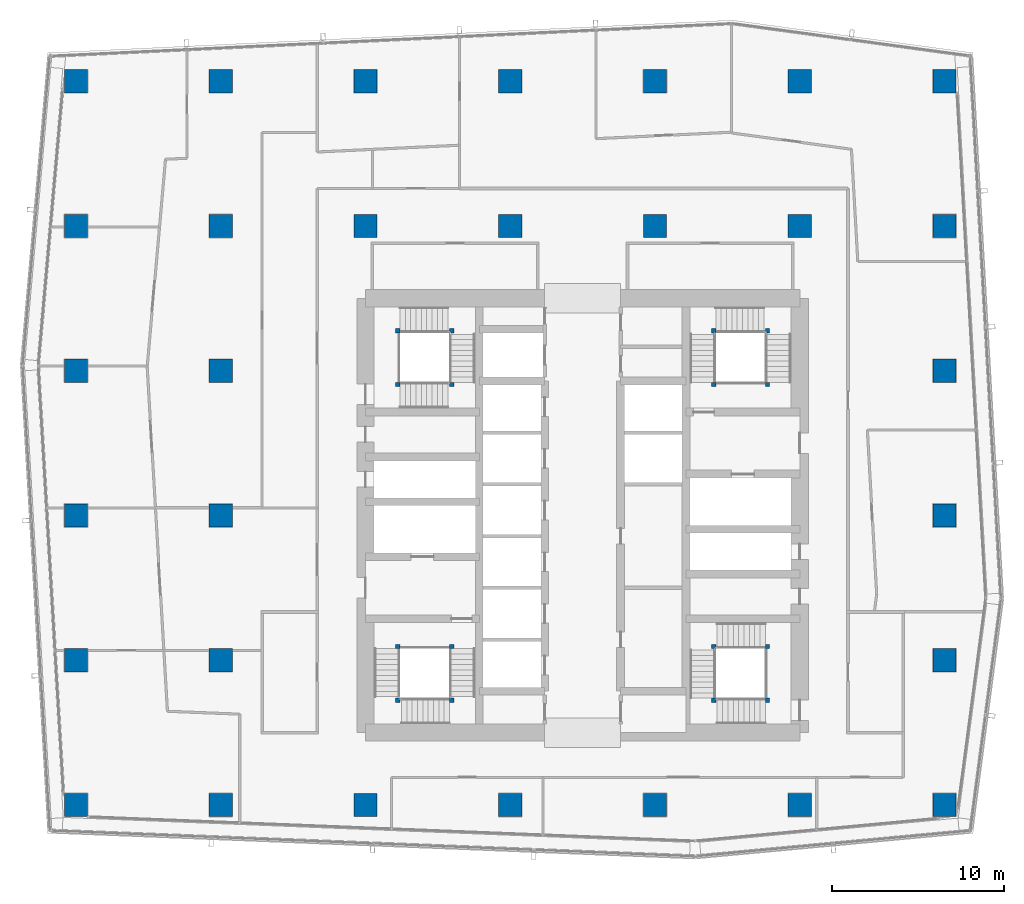
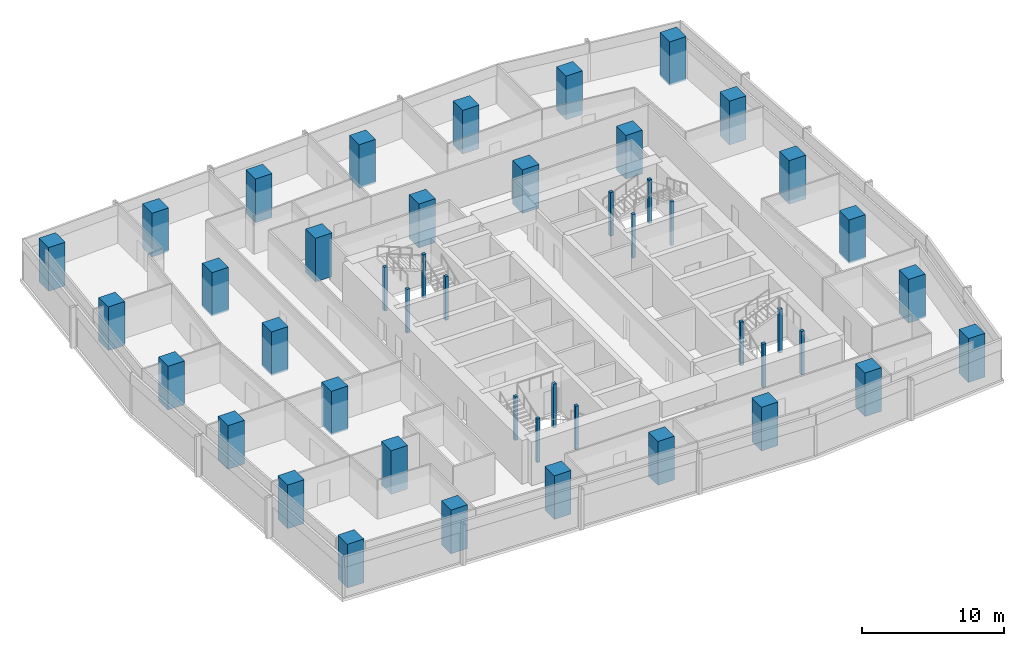
# One storey, part 1 of 39: 46 columns.
"""IFC4 building model written with IfcOpenShell, lengths in metres."""

from ifc_helpers import new_model, si_unit, direction, frame, origin, origin_2d, place, context, subcontext, project, spatial, rectangle, extrude, material, material_profile, profile_set, type_object, element, save


model = new_model("IFC4")

# Units and contexts
model_context = context("Model", 3, precision=1e-05, world=origin(), true_north=direction((0.0, 1.0)))
body_context = subcontext(model_context, "Body", "Model", "MODEL_VIEW")
ifc_project = project(units=[si_unit("LENGTHUNIT", "METRE"), si_unit("AREAUNIT", "SQUARE_METRE"), si_unit("VOLUMEUNIT", "CUBIC_METRE"), si_unit("PLANEANGLEUNIT", "RADIAN"), si_unit("MASSUNIT", "GRAM", prefix="KILO")], contexts=[model_context])

# Site, building, storey
site_placement = place(None, origin())
site = spatial("IfcSite", under=ifc_project, at=site_placement, CompositionType="ELEMENT")
building_placement = place(site_placement, origin())
building = spatial("IfcBuilding", under=site, at=building_placement, Name="Rekha Terrace Tower", CompositionType="ELEMENT")
storey_placement = place(building_placement, frame((0.0, 0.0, 225.199951171875)))
storey = spatial("IfcBuildingStorey", under=building, at=storey_placement, Name="L57", CompositionType="ELEMENT", Elevation=225.199951171875)

# Columns
ifc_material_1 = material(Name="Concrete M70", Category="concrete")
ifc_material_profile_1 = material_profile(ifc_material_1, rectangle(XDim=1.35009765625, YDim=1.35009765625, at=origin_2d()), Name="RC 1350x1350")
ifc_profile_set_1 = profile_set([ifc_material_profile_1], Name="Concrete M70")
column_type_1 = type_object("IfcColumnType", Name="C4 1350x1350 column", PredefinedType="COLUMN", material=ifc_profile_set_1)
for number, where, z_axis, x_axis, name in (
    (1, (8.39990234375, 16.800048828125, 0.0), (0.0, 0.0, 1.0), (1.0, 0.0, 0.0), "Column C4 2/C L57"),
    (2, (8.39990234375, 25.199951171875, 0.0), (0.0, 0.0, 1.0), (1.0, 0.0, 0.0), "Column C4 2/D L57"),
    (3, (8.39990234375, 33.60009765625, 0.0), (0.0, 0.0, 1.0), (1.0, 0.0, 0.0), "Column C4 2/E L57"),
    (4, (8.39990234375, 42.0, 0.0), (0.0, 0.0, 1.0), (1.0, 0.0, 0.0), "Column C4 2/F L57"),
    (5, (8.39990234375, 50.39990234375, 0.0), (0.0, 0.0, 1.0), (1.0, 0.0, 0.0), "Column C4 2/G L57"),
    (6, (8.39990234375, 58.800048828125, 0.0), (0.0, 0.0, 1.0), (1.0, 0.0, 0.0), "Column C4 2/H L57"),
    (7, (16.800048828125, 16.800048828125, 0.0), (0.0, 0.0, 1.0), (1.0, 0.0, 0.0), "Column C4 3/C L57"),
    (8, (16.800048828125, 25.199951171875, 0.0), (0.0, 0.0, 1.0), (1.0, 0.0, 0.0), "Column C4 3/D L57"),
    (9, (16.800048828125, 33.60009765625, 0.0), (0.0, 0.0, 1.0), (1.0, 0.0, 0.0), "Column C4 3/E L57"),
    (10, (16.800048828125, 42.0, 0.0), (0.0, 0.0, 1.0), (1.0, 0.0, 0.0), "Column C4 3/F L57"),
    (11, (16.800048828125, 50.39990234375, 0.0), (0.0, 0.0, 1.0), (1.0, 0.0, 0.0), "Column C4 3/G L57"),
    (12, (16.800048828125, 58.800048828125, 0.0), (0.0, 0.0, 1.0), (1.0, 0.0, 0.0), "Column C4 3/H L57"),
    (13, (25.199951171875, 16.800048828125, 0.0), (0.0, 0.0, 1.0), (1.0, 0.0, 0.0), "Column C4 4/C L57"),
    (14, (25.199951171875, 50.39990234375, 0.0), (0.0, 0.0, 1.0), (1.0, 0.0, 0.0), "Column C4 4/G L57"),
    (15, (25.199951171875, 58.800048828125, 0.0), (0.0, 0.0, 1.0), (1.0, 0.0, 0.0), "Column C4 4/H L57"),
    (16, (33.60009765625, 16.800048828125, 0.0), (0.0, 0.0, 1.0), (1.0, 0.0, 0.0), "Column C4 5/C L57"),
    (17, (33.60009765625, 50.39990234375, 0.0), (0.0, 0.0, 1.0), (1.0, 0.0, 0.0), "Column C4 5/G L57"),
    (18, (33.60009765625, 58.800048828125, 0.0), (0.0, 0.0, 1.0), (1.0, 0.0, 0.0), "Column C4 5/H L57"),
    (19, (42.0, 16.800048828125, 0.0), (0.0, 0.0, 1.0), (1.0, 0.0, 0.0), "Column C4 6/C L57"),
    (20, (42.0, 50.39990234375, 0.0), (0.0, 0.0, 1.0), (1.0, 0.0, 0.0), "Column C4 6/G L57"),
    (21, (42.0, 58.800048828125, 0.0), (0.0, 0.0, 1.0), (1.0, 0.0, 0.0), "Column C4 6/H L57"),
    (22, (50.39990234375, 16.800048828125, 0.0), (0.0, 0.0, 1.0), (1.0, 0.0, 0.0), "Column C4 7/C L57"),
    (23, (50.39990234375, 50.39990234375, 0.0), (0.0, 0.0, 1.0), (1.0, 0.0, 0.0), "Column C4 7/G L57"),
    (24, (50.39990234375, 58.800048828125, 0.0), (0.0, 0.0, 1.0), (1.0, 0.0, 0.0), "Column C4 7/H L57"),
    (25, (58.800048828125, 16.800048828125, 0.0), (0.0, 0.0, 1.0), (1.0, 0.0, 0.0), "Column C4 8/C L57"),
    (26, (58.800048828125, 25.199951171875, 0.0), (0.0, 0.0, 1.0), (1.0, 0.0, 0.0), "Column C4 8/D L57"),
    (27, (58.800048828125, 33.60009765625, 0.0), (0.0, 0.0, 1.0), (1.0, 0.0, 0.0), "Column C4 8/E L57"),
    (28, (58.800048828125, 42.0, 0.0), (0.0, 0.0, 1.0), (1.0, 0.0, 0.0), "Column C4 8/F L57"),
    (29, (58.800048828125, 50.39990234375, 0.0), (0.0, 0.0, 1.0), (1.0, 0.0, 0.0), "Column C4 8/G L57"),
    (30, (58.800048828125, 58.800048828125, 0.0), (0.0, 0.0, 1.0), (1.0, 0.0, 0.0), "Column C4 8/H L57"),
):
    element("IfcColumn", number, at=place(storey_placement, frame(where, z_axis=z_axis, x_axis=x_axis)), inside=storey, type_object=column_type_1, Name=name, PredefinedType="COLUMN", context=body_context, shape_type="SweptSolid", body=[
        extrude(rectangle(XDim=1.35009765625, YDim=1.35009765625, at=origin_2d()), origin(), (0.0, 0.0, 1.0), 3.75),
    ])
ifc_material_2 = material(Name="Concrete M60", Category="concrete")
ifc_material_profile_2 = material_profile(ifc_material_2, rectangle(XDim=0.25, YDim=0.25, at=origin_2d()), Name="RC 250x250")
ifc_profile_set_2 = profile_set([ifc_material_profile_2], Name="Concrete M60")
column_type_2 = type_object("IfcColumnType", Name="NP1 250x250 stair newel post", PredefinedType="COLUMN", material=ifc_profile_set_2)
for number, where, z_axis, x_axis, name in (
    (31, (30.199951171875, 26.0, 0.0), (0.0, 0.0, 1.0), (1.0, 0.0, 0.0), "Stair newel post NP1"),
    (32, (30.199951171875, 22.875, 0.0), (0.0, 0.0, 1.0), (1.0, 0.0, 0.0), "Stair newel post NP1"),
    (33, (27.074951171875, 22.875, 0.0), (0.0, 0.0, 1.0), (1.0, 0.0, 0.0), "Stair newel post NP1"),
    (34, (27.074951171875, 26.0, 0.0), (0.0, 0.0, 1.0), (1.0, 0.0, 0.0), "Stair newel post NP1"),
    (35, (45.39990234375, 41.199951171875, 0.0), (0.0, 0.0, 1.0), (1.0, 0.0, 0.0), "Stair newel post NP1"),
    (36, (45.39990234375, 44.324951171875, 0.0), (0.0, 0.0, 1.0), (1.0, 0.0, 0.0), "Stair newel post NP1"),
    (37, (48.52490234375, 44.324951171875, 0.0), (0.0, 0.0, 1.0), (1.0, 0.0, 0.0), "Stair newel post NP1"),
    (38, (48.52490234375, 41.199951171875, 0.0), (0.0, 0.0, 1.0), (1.0, 0.0, 0.0), "Stair newel post NP1"),
    (39, (48.52490234375, 22.875, 0.0), (0.0, 0.0, 1.0), (1.0, 0.0, 0.0), "Stair newel post NP1"),
    (40, (45.39990234375, 22.875, 0.0), (0.0, 0.0, 1.0), (1.0, 0.0, 0.0), "Stair newel post NP1"),
    (41, (45.39990234375, 26.0, 0.0), (0.0, 0.0, 1.0), (1.0, 0.0, 0.0), "Stair newel post NP1"),
    (42, (48.52490234375, 26.0, 0.0), (0.0, 0.0, 1.0), (1.0, 0.0, 0.0), "Stair newel post NP1"),
    (43, (27.074951171875, 41.199951171875, 0.0), (0.0, 0.0, 1.0), (1.0, 0.0, 0.0), "Stair newel post NP1"),
    (44, (30.199951171875, 41.199951171875, 0.0), (0.0, 0.0, 1.0), (1.0, 0.0, 0.0), "Stair newel post NP1"),
    (45, (30.199951171875, 44.324951171875, 0.0), (0.0, 0.0, 1.0), (1.0, 0.0, 0.0), "Stair newel post NP1"),
    (46, (27.074951171875, 44.324951171875, 0.0), (0.0, 0.0, 1.0), (1.0, 0.0, 0.0), "Stair newel post NP1"),
):
    element("IfcColumn", number, at=place(storey_placement, frame(where, z_axis=z_axis, x_axis=x_axis)), inside=storey, type_object=column_type_2, Name=name, PredefinedType="COLUMN", context=body_context, shape_type="SweptSolid", body=[
        extrude(rectangle(XDim=0.25, YDim=0.25, at=origin_2d()), origin(), (0.0, 0.0, 1.0), 3.75),
    ])

save(model, "model.ifc")
